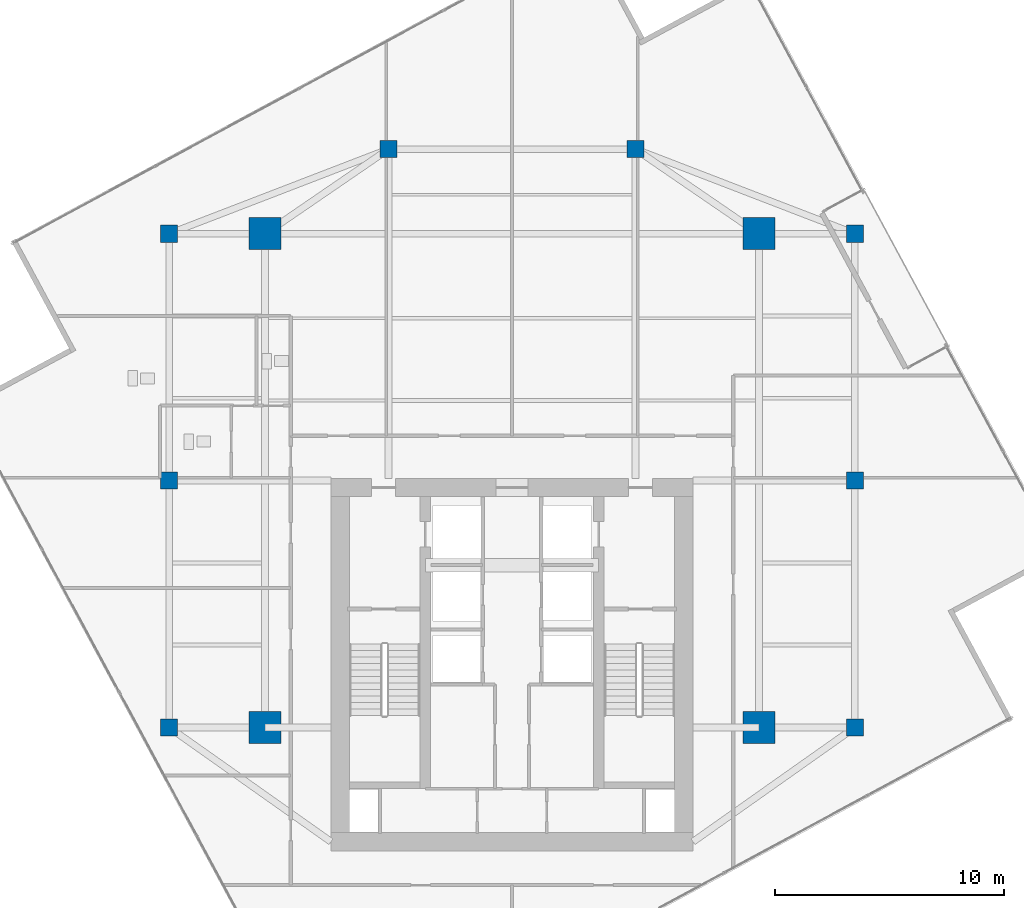
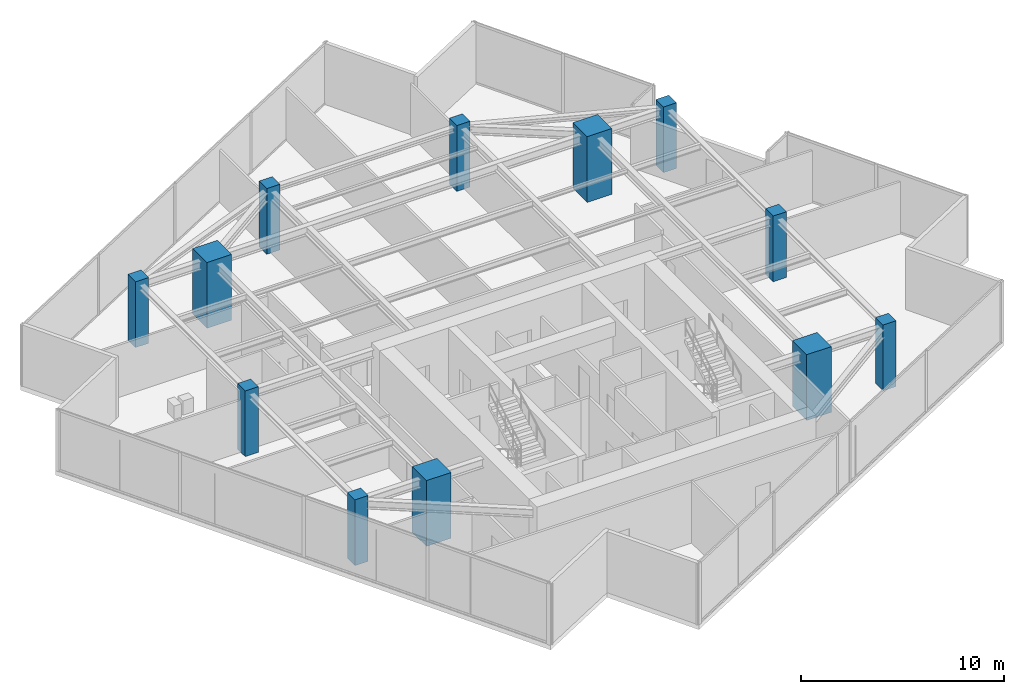
# One storey, part 1 of 22: 12 columns.
"""IFC4 building model written with IfcOpenShell, lengths in metres."""

from ifc_helpers import new_model, si_unit, direction, frame, origin, origin_2d, place, context, subcontext, project, spatial, rectangle, extrude, source, transform, mapped, material, material_profile, profile_set, type_object, type_shapes, element, save


model = new_model("IFC4")

# Units and contexts
model_context = context("Model", 3, precision=1e-05, world=origin(), true_north=direction((0.0, 1.0)))
body_context = subcontext(model_context, "Body", "Model", "MODEL_VIEW")
ifc_project = project(units=[si_unit("LENGTHUNIT", "METRE"), si_unit("AREAUNIT", "SQUARE_METRE"), si_unit("VOLUMEUNIT", "CUBIC_METRE"), si_unit("PLANEANGLEUNIT", "RADIAN"), si_unit("MASSUNIT", "GRAM", prefix="KILO")], contexts=[model_context])

# Site, building, storey
site_placement = place(None, origin())
site = spatial("IfcSite", under=ifc_project, at=site_placement, CompositionType="ELEMENT")
building_placement = place(site_placement, origin())
building = spatial("IfcBuilding", under=site, at=building_placement, Name="Krantzveldt Concourse Tower", CompositionType="ELEMENT")
storey_placement = place(building_placement, frame((0.0, 0.0, 302.949951171875)))
storey = spatial("IfcBuildingStorey", under=building, at=storey_placement, Name="L74", CompositionType="ELEMENT", Elevation=302.949951171875)

# Columns
ifc_material = material(Name="Concrete C50/60", Category="concrete")
ifc_material_profile_1 = material_profile(ifc_material, rectangle(XDim=1.39990234375, YDim=1.39990234375, at=origin_2d()), Name="Concrete C50/60", Category="concrete")
ifc_profile_set_1 = profile_set([ifc_material_profile_1], Name="Concrete C50/60 - RC 1400x1400")
column_type_1 = type_object("IfcColumnType", Name="COL-MC-1400", PredefinedType="USERDEFINED", material=ifc_profile_set_1)
shared_shape_1 = source(origin(), body_context, "Body", "SweptSolid", [
    extrude(rectangle(XDim=1.39990234375, YDim=1.39990234375, at=origin_2d()), origin(), (0.0, 0.0, 1.0), 3.949951171875),
])
type_shapes(column_type_1, [shared_shape_1])
for number, where, z_axis, x_axis, name in (
    (1, (25.199951171875, 15.89990234375, 0.0), (0.0, 0.0, 1.0), (1.0, 0.0, 0.0), "MC-SW-L74"),
    (2, (46.800048828125, 15.89990234375, 0.0), (0.0, 0.0, 1.0), (1.0, 0.0, 0.0), "MC-SE-L74"),
    (3, (46.800048828125, 37.5, 0.0), (0.0, 0.0, 1.0), (1.0, 0.0, 0.0), "MC-NE-L74"),
    (4, (25.199951171875, 37.5, 0.0), (0.0, 0.0, 1.0), (1.0, 0.0, 0.0), "MC-NW-L74"),
):
    element("IfcColumn", number, at=place(storey_placement, frame(where, z_axis=z_axis, x_axis=x_axis)), inside=storey, type_object=column_type_1, Name=name, ObjectType="MEGA COLUMN", PredefinedType="USERDEFINED", context=body_context, shape_type="MappedRepresentation", body=[
        mapped(shared_shape_1, transform((0.0, 0.0, 0.0), x_axis=(1.0, 0.0, 0.0), y_axis=(0.0, 1.0, 0.0), z_axis=(0.0, 0.0, 1.0), scale=1.0)),
    ])
ifc_material_profile_2 = material_profile(ifc_material, rectangle(XDim=0.75, YDim=0.75, at=origin_2d()), Name="Concrete C50/60", Category="concrete")
ifc_profile_set_2 = profile_set([ifc_material_profile_2], Name="Concrete C50/60 - RC 750x750")
column_type_2 = type_object("IfcColumnType", Name="COL-C-Z5", PredefinedType="COLUMN", material=ifc_profile_set_2)
shared_shape_2 = source(origin(), body_context, "Body", "SweptSolid", [
    extrude(rectangle(XDim=0.75, YDim=0.75, at=origin_2d()), origin(), (0.0, 0.0, 1.0), 3.949951171875),
])
type_shapes(column_type_2, [shared_shape_2])
for number, where, z_axis, x_axis, name in (
    (5, (21.0, 15.89990234375, 0.0), (0.0, 0.0, 1.0), (1.0, 0.0, 0.0), "PC-R01-L74"),
    (6, (21.0, 26.699951171875, 0.0), (0.0, 0.0, 1.0), (1.0, 0.0, 0.0), "PC-R02-L74"),
    (7, (21.0, 37.5, 0.0), (0.0, 0.0, 1.0), (1.0, 0.0, 0.0), "PC-R03-L74"),
    (8, (30.60009765625, 41.199951171875, 0.0), (0.0, 0.0, 1.0), (1.0, 0.0, 0.0), "PC-R04-L74"),
    (9, (41.39990234375, 41.199951171875, 0.0), (0.0, 0.0, 1.0), (1.0, 0.0, 0.0), "PC-R05-L74"),
    (10, (51.0, 37.5, 0.0), (0.0, 0.0, 1.0), (1.0, 0.0, 0.0), "PC-R06-L74"),
    (11, (51.0, 26.699951171875, 0.0), (0.0, 0.0, 1.0), (1.0, 0.0, 0.0), "PC-R07-L74"),
    (12, (51.0, 15.89990234375, 0.0), (0.0, 0.0, 1.0), (1.0, 0.0, 0.0), "PC-R08-L74"),
):
    element("IfcColumn", number, at=place(storey_placement, frame(where, z_axis=z_axis, x_axis=x_axis)), inside=storey, type_object=column_type_2, Name=name, PredefinedType="COLUMN", context=body_context, shape_type="MappedRepresentation", body=[
        mapped(shared_shape_2, transform((0.0, 0.0, 0.0), x_axis=(1.0, 0.0, 0.0), y_axis=(0.0, 1.0, 0.0), z_axis=(0.0, 0.0, 1.0), scale=1.0)),
    ])

save(model, "model.ifc")
